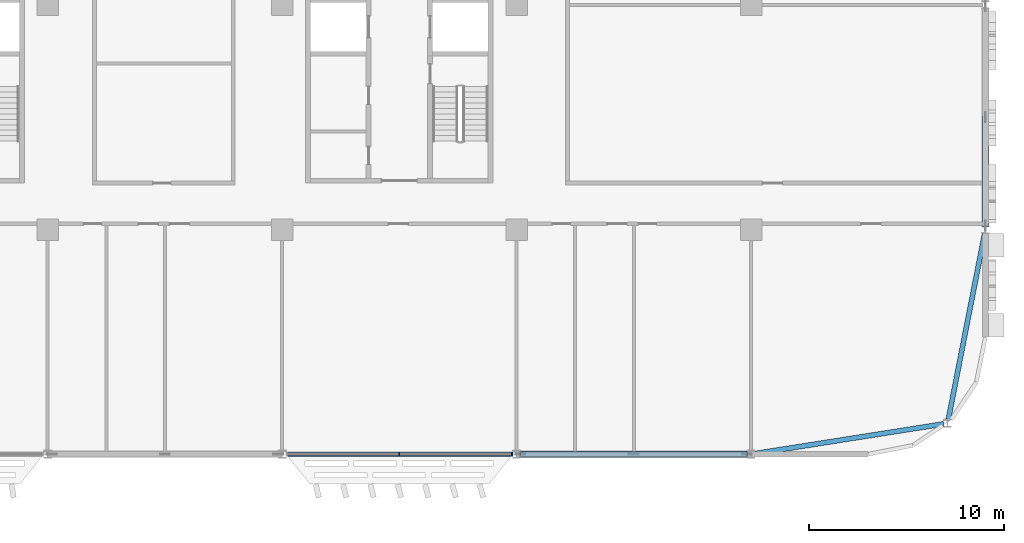
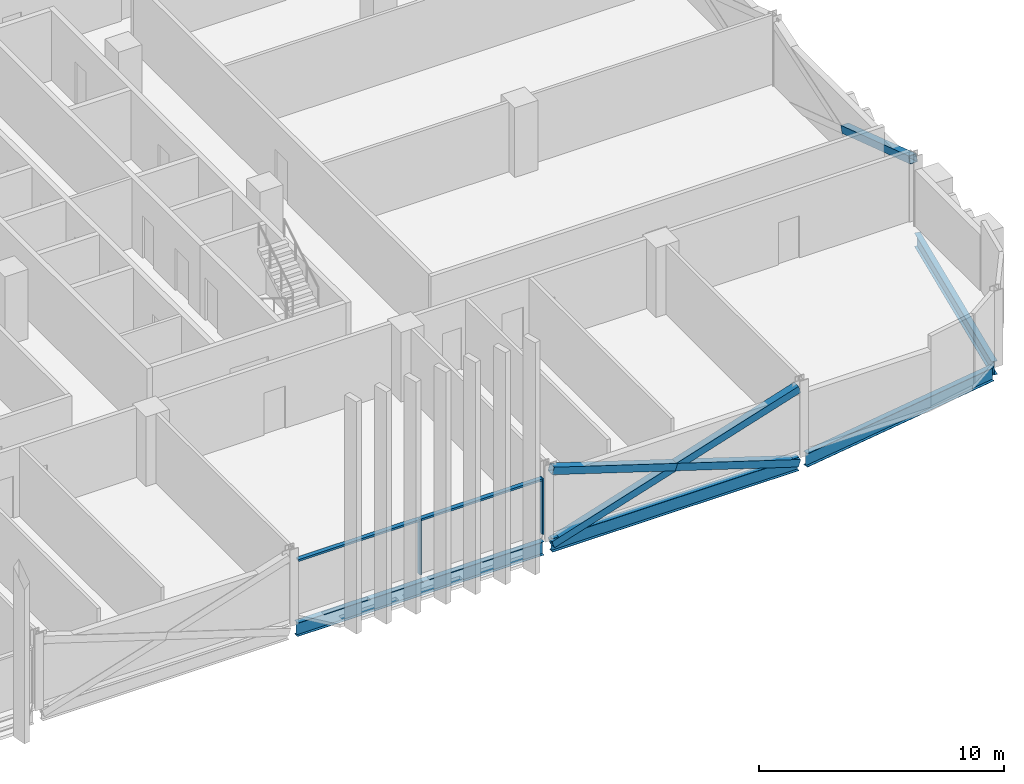
# One storey, part 9 of 30: 8 members, 4 beams, 1 element without a shape of its own.
"""IFC4 building model written with IfcOpenShell, lengths in metres."""

from ifc_helpers import new_model, si_unit, direction, frame, origin, origin_2d, place, context, subcontext, project, spatial, rectangle, hollow_rectangle, i_section, extrude, material, material_profile, profile_set, type_object, element, aggregate, save


model = new_model("IFC4")

# Units and contexts
model_context = context("Model", 3, precision=1e-05, world=origin(), true_north=direction((0.0, 1.0)))
body_context = subcontext(model_context, "Body", "Model", "MODEL_VIEW")
ifc_project = project(units=[si_unit("LENGTHUNIT", "METRE"), si_unit("AREAUNIT", "SQUARE_METRE"), si_unit("VOLUMEUNIT", "CUBIC_METRE"), si_unit("PLANEANGLEUNIT", "RADIAN"), si_unit("MASSUNIT", "GRAM", prefix="KILO")], contexts=[model_context])

# Site, building, storey
site_placement = place(None, origin())
site = spatial("IfcSite", under=ifc_project, at=site_placement, CompositionType="ELEMENT")
building_placement = place(site_placement, origin())
building = spatial("IfcBuilding", under=site, at=building_placement, Name="Mahtab Terrace Research Tower", CompositionType="ELEMENT")
storey_placement = place(building_placement, frame((0.0, 0.0, 209.10009765625)))
storey = spatial("IfcBuildingStorey", under=building, at=storey_placement, Name="L50", CompositionType="ELEMENT", Elevation=209.10009765625)

# Members
ifc_material_1 = material(Name="Steel ASTM A500 Gr C", Category="steel")
ifc_material_profile_1 = material_profile(ifc_material_1, hollow_rectangle(XDim=0.355712890625, YDim=0.355712890625, WallThickness=0.015869140625, at=origin_2d()), Name="HSS14X14X5/8")
ifc_profile_set_1 = profile_set([ifc_material_profile_1], Name="Steel ASTM A500 Gr C")
member_type_1 = type_object("IfcMemberType", Name="HSS 14x14x5/8 brace XB141458", PredefinedType="BRACE", material=ifc_profile_set_1)
member_1_placement = place(storey_placement, frame((30.20068359375, -23.0, -0.61572265625), z_axis=(0.953337604941, 0.0, 0.301906295073), x_axis=(0.0, 1.0, 0.0)))
element("IfcMember", 1, at=member_1_placement, inside=storey, type_object=member_type_1, Name="Exoskeleton brace L50 19 a", PredefinedType="BRACE", context=body_context, shape_type="SweptSolid", body=[
    extrude(hollow_rectangle(XDim=0.355712890625, YDim=0.355712890625, WallThickness=0.015869140625, at=origin_2d()), origin(), (0.0, 0.0, 1.0), 12.166259765625),
])
for number, where, z_axis, x_axis, name in (
    (2, (41.79931640625, -23.0, -0.61572265625), (-0.953343380425, 0.0, 0.301888057067), (0.0, -1.0, 0.0), "Exoskeleton brace L50 19 b1"),
    (3, (36.0, -23.0, 1.220703125), (-0.953331829178, 0.0, 0.301924532749), (0.0, -1.0, 0.0), "Exoskeleton brace L50 19 b2"),
):
    element("IfcMember", number, at=place(storey_placement, frame(where, z_axis=z_axis, x_axis=x_axis)), inside=storey, type_object=member_type_1, Name=name, PredefinedType="BRACE", context=body_context, shape_type="SweptSolid", body=[
        extrude(hollow_rectangle(XDim=0.355712890625, YDim=0.355712890625, WallThickness=0.015869140625, at=origin_2d()), origin(), (0.0, 0.0, 1.0), 6.083251953125),
    ])
member_2_placement = place(storey_placement, frame((54.0, -5.75, 1.220703125), z_axis=(0.0, -0.949498689047, 0.313770998496), x_axis=(1.0, 0.0, 0.0)))
element("IfcMember", 4, at=member_2_placement, inside=storey, type_object=member_type_1, Name="Exoskeleton brace L50 22 b2", PredefinedType="BRACE", context=body_context, shape_type="SweptSolid", body=[
    extrude(hollow_rectangle(XDim=0.355712890625, YDim=0.355712890625, WallThickness=0.015869140625, at=origin_2d()), origin(), (0.0, 0.0, 1.0), 5.845703125),
])

# Curtain wall, members
ifc_material_2 = material(Name="Laboratory ribbon curtain wall")
curtain_wall_type = type_object("IfcCurtainWallType", Name="Laboratory ribbon curtain wall", PredefinedType="NOTDEFINED", material=ifc_material_2)
curtain_wall_placement = place(storey_placement, origin())
curtain_wall = element("IfcCurtainWall", 5, at=curtain_wall_placement, inside=storey, type_object=curtain_wall_type, Name="EN.L50.13.28", PredefinedType="NOTDEFINED")
ifc_material_3 = material(Name="Natural anodised aluminium", Category="aluminium")
ifc_material_profile_2 = material_profile(ifc_material_3, rectangle(XDim=0.199951171875, YDim=0.06494140625, at=origin_2d()), Name="MULLION 65x200")
ifc_profile_set_2 = profile_set([ifc_material_profile_2], Name="Natural anodised aluminium")
member_type_2 = type_object("IfcMemberType", Name="Laboratory ribbon curtain wall mullion", PredefinedType="MULLION", material=ifc_profile_set_2)
member_3_placement = place(storey_placement, frame((24.0, -23.0, 0.0), z_axis=(0.0, 0.0, 1.0), x_axis=(0.0, 1.0, 0.0)))
member_3 = element("IfcMember", 6, at=member_3_placement, type_object=member_type_2, Name="CWL-6 mullion 2", PredefinedType="MULLION", context=body_context, shape_type="SweptSolid", body=[
    extrude(rectangle(XDim=0.199951171875, YDim=0.06494140625, at=origin_2d()), origin(), (0.0, 0.0, 1.0), 2.78173828125),
])
member_4_placement = place(storey_placement, frame((29.767578125, -23.0, 0.0), z_axis=(0.0, 0.0, 1.0), x_axis=(0.0, 1.0, 0.0)))
member_4 = element("IfcMember", 7, at=member_4_placement, type_object=member_type_2, Name="CWL-6 mullion 3", PredefinedType="MULLION", context=body_context, shape_type="SweptSolid", body=[
    extrude(rectangle(XDim=0.199951171875, YDim=0.06494140625, at=origin_2d()), origin(), (0.0, 0.0, 1.0), 2.78173828125),
])
ifc_material_profile_3 = material_profile(ifc_material_3, rectangle(XDim=0.199951171875, YDim=0.10009765625, at=origin_2d()), Name="TRANSOM 100x200")
ifc_profile_set_3 = profile_set([ifc_material_profile_3], Name="Natural anodised aluminium")
member_type_3 = type_object("IfcMemberType", Name="Laboratory ribbon curtain wall transom", PredefinedType="USERDEFINED", material=ifc_profile_set_3)
member_5_placement = place(storey_placement, frame((18.264892578125, -23.0, 2.731689453125), z_axis=(1.0, 0.0, 0.0), x_axis=(0.0, 1.0, 0.0)))
member_5 = element("IfcMember", 8, at=member_5_placement, type_object=member_type_3, Name="CWL-6 transom 1", ObjectType="TRANSOM", PredefinedType="USERDEFINED", context=body_context, shape_type="SweptSolid", body=[
    extrude(rectangle(XDim=0.199951171875, YDim=0.10009765625, at=origin_2d()), origin(), (0.0, 0.0, 1.0), 5.70263671875),
])
member_6_placement = place(storey_placement, frame((24.032470703125, -23.0, 2.731689453125), z_axis=(1.0, 0.0, 0.0), x_axis=(0.0, 1.0, 0.0)))
member_6 = element("IfcMember", 9, at=member_6_placement, type_object=member_type_3, Name="CWL-6 transom 2", ObjectType="TRANSOM", PredefinedType="USERDEFINED", context=body_context, shape_type="SweptSolid", body=[
    extrude(rectangle(XDim=0.199951171875, YDim=0.10009765625, at=origin_2d()), origin(), (0.0, 0.0, 1.0), 5.70263671875),
])
aggregate(curtain_wall, [member_3, member_4, member_5, member_6])

# Beams
ifc_material_4 = material(Name="Steel ASTM A992 Gr 50", Category="steel")
ifc_material_profile_4 = material_profile(ifc_material_4, i_section(OverallWidth=0.25390625, OverallDepth=0.67822265625, WebThickness=0.01171875, FlangeThickness=0.016357421875, at=origin_2d()), Name="W27X84")
ifc_profile_set_4 = profile_set([ifc_material_profile_4], Name="Steel ASTM A992 Gr 50")
beam_type = type_object("IfcBeamType", Name="W27x84 beam BS2784", PredefinedType="BEAM", material=ifc_profile_set_4)
for number, where, z_axis, x_axis, name in (
    (10, (18.20068359375, -23.0, -0.67919921875), (1.0, 0.0, 0.0), (0.0, 1.0, 0.0), "Spandrel beam L50 18"),
    (11, (30.20068359375, -23.0, -0.67919921875), (1.0, 0.0, 0.0), (0.0, 1.0, 0.0), "Spandrel beam L50 19"),
):
    element("IfcBeam", number, at=place(storey_placement, frame(where, z_axis=z_axis, x_axis=x_axis)), inside=storey, type_object=beam_type, Name=name, PredefinedType="BEAM", context=body_context, shape_type="SweptSolid", body=[
        extrude(i_section(OverallWidth=0.25390625, OverallDepth=0.67822265625, WebThickness=0.01171875, FlangeThickness=0.016357421875, at=origin_2d()), origin(), (0.0, 0.0, 1.0), 11.5986328125),
    ])
beam_1_placement = place(storey_placement, frame((42.20068359375, -22.968505859375, -0.67919921875), z_axis=(0.987831689273, 0.155526697604, 0.0), x_axis=(-0.155526697604, 0.987831689273, 0.0)))
element("IfcBeam", 12, at=beam_1_placement, inside=storey, type_object=beam_type, Name="Spandrel beam L50 20", PredefinedType="BEAM", context=body_context, shape_type="SweptSolid", body=[
    extrude(i_section(OverallWidth=0.25390625, OverallDepth=0.67822265625, WebThickness=0.01171875, FlangeThickness=0.016357421875, at=origin_2d()), origin(), (0.0, 0.0, 1.0), 9.779541015625),
])
beam_2_placement = place(storey_placement, frame((52.10107421875, -21.216552734375, -0.67919921875), z_axis=(0.191795474732, 0.981434916779, 0.0), x_axis=(-0.981434916779, 0.191795474732, 0.0)))
element("IfcBeam", 13, at=beam_2_placement, inside=storey, type_object=beam_type, Name="Spandrel beam L50 21", PredefinedType="BEAM", context=body_context, shape_type="SweptSolid", body=[
    extrude(i_section(OverallWidth=0.25390625, OverallDepth=0.67822265625, WebThickness=0.01171875, FlangeThickness=0.016357421875, at=origin_2d()), origin(), (0.0, 0.0, 1.0), 9.697021484375),
])

save(model, "model.ifc")
